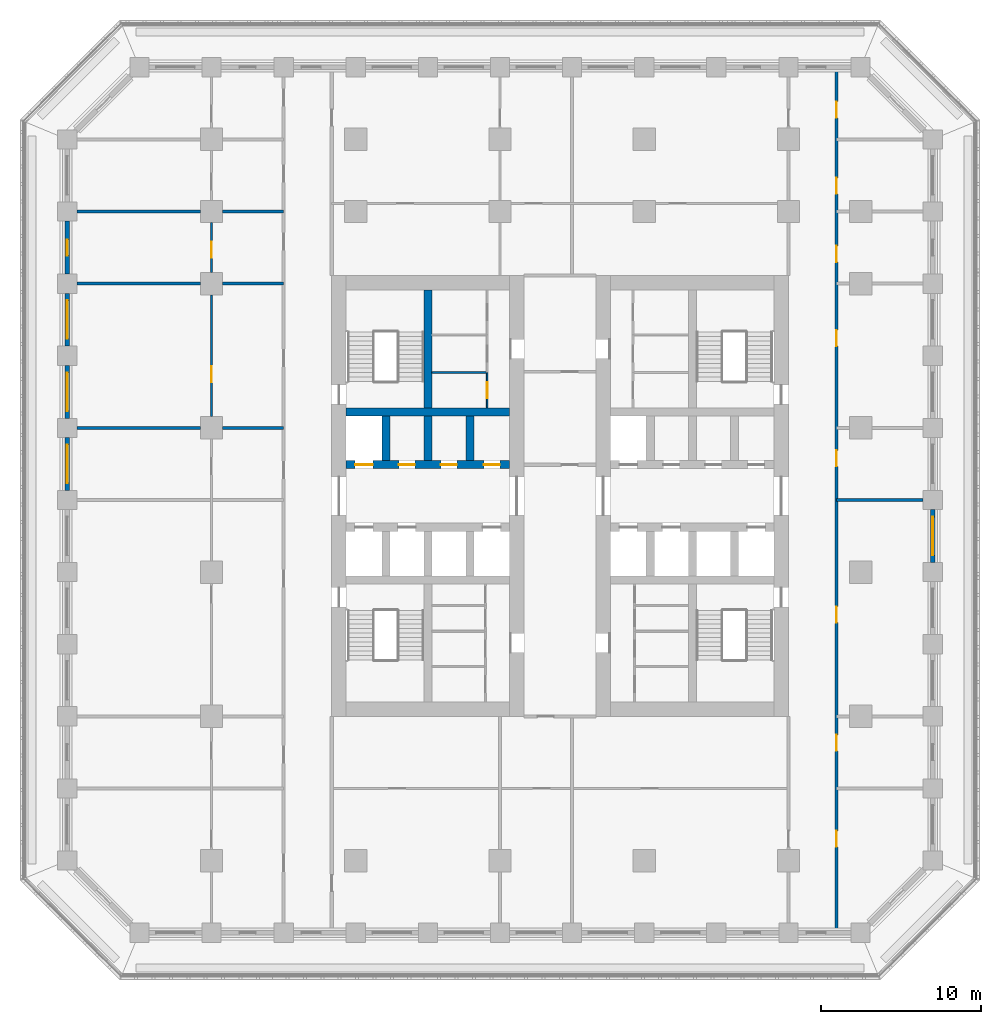
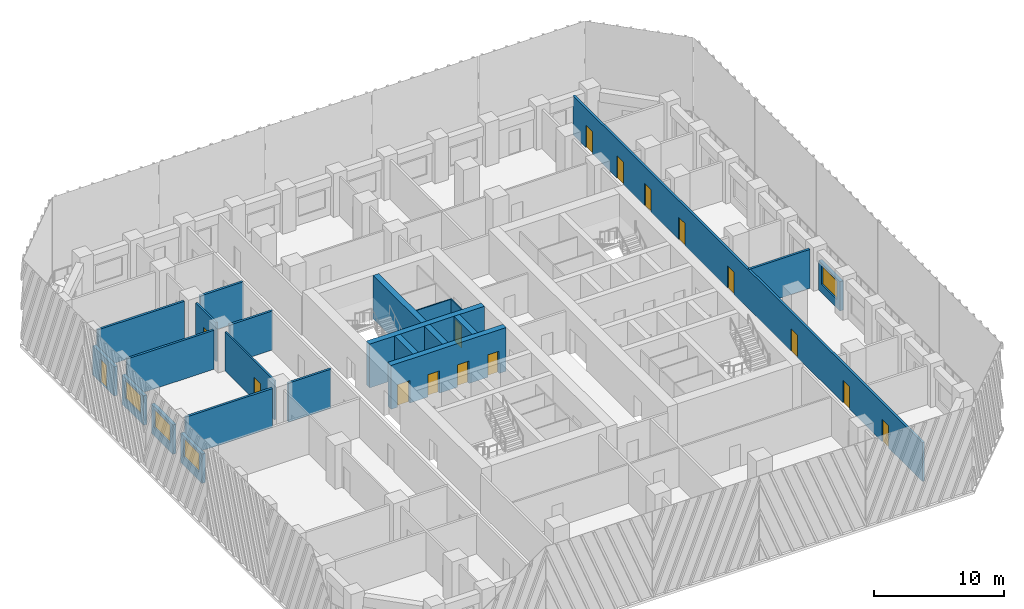
# One storey, part 6 of 19: 23 walls, 16 doors, 4 windows, 20 openings.
"""IFC4 building model written with IfcOpenShell, lengths in metres."""

import ifcopenshell
import ifcopenshell.guid

model = None  # the IFC model being written
_history = None  # IfcOwnerHistory: only IFC2X3 demands one
_inside = {}  # id of a spatial element -> (the spatial element, [elements in it])
_under = {}  # id of a project, library or spatial element -> (it, [spatial elements below it])
_declared = {}  # id of a project -> (the project, [libraries it declares])
_typed = {}  # id of a type object -> (the type object, [elements of that type])
_made_of = {}  # id of a material, layer set ... -> (it, [elements and type objects made of it])


def new_model(schema):
    """Start an empty IFC model of exactly this schema.

    Asked for "IFC4X3", IfcOpenShell would pick the latest addendum, in which some entities
    have other attributes; the version numbers below select the first issue.
    IFC2X3 requires an IfcOwnerHistory on every rooted entity: one is made here for all.
    """
    global model, _history
    if schema == "IFC4X3":
        model = ifcopenshell.file(schema_version=(4, 3, 0, 0))
    else:
        model = ifcopenshell.file(schema=schema)
    _inside.clear()
    _under.clear()
    _declared.clear()
    _typed.clear()
    _made_of.clear()
    _history = None
    if model.schema == "IFC2X3":
        org = make("IfcOrganization", Name="unknown")
        user = make(
            "IfcPersonAndOrganization",
            ThePerson=make("IfcPerson", FamilyName="unknown"),
            TheOrganization=org,
        )
        app = make(
            "IfcApplication",
            ApplicationDeveloper=org,
            Version="unknown",
            ApplicationFullName="unknown",
            ApplicationIdentifier="unknown",
        )
        _history = make(
            "IfcOwnerHistory",
            OwningUser=user,
            OwningApplication=app,
            ChangeAction="ADDED",
            CreationDate=0,
        )
    return model


def make(cls, **values):
    """One entity of the class cls with the attributes given. An attribute that is None is left unset."""
    return model.create_entity(
        cls, **{name: value for name, value in values.items() if value is not None}
    )


def rooted(cls, **values):
    """An entity with a GlobalId (a new one), such as an element, a storey or a relation."""
    return make(cls, GlobalId=ifcopenshell.guid.new(), OwnerHistory=_history, **values)


def si_unit(unit_type, name, prefix=None):
    """IfcSIUnit, for example si_unit("LENGTHUNIT", "METRE", prefix="MILLI")."""
    return make("IfcSIUnit", UnitType=unit_type, Prefix=prefix, Name=name)


def assignment(units):
    """IfcUnitAssignment: the units of a project."""
    return None if units is None else make("IfcUnitAssignment", Units=units)


def point(xyz):
    """IfcCartesianPoint."""
    return None if xyz is None else make("IfcCartesianPoint", Coordinates=xyz)


def direction(xyz):
    """IfcDirection."""
    return None if xyz is None else make("IfcDirection", DirectionRatios=xyz)


def frame(location, z_axis=None, x_axis=None):
    """IfcAxis2Placement3D, a coordinate frame: its origin and axes. An axis left out is left unset."""
    return make(
        "IfcAxis2Placement3D",
        Location=point(location),
        Axis=direction(z_axis),
        RefDirection=direction(x_axis),
    )


def frame_2d(location, x_axis=None):
    """IfcAxis2Placement2D, a coordinate frame in the plane: its origin and x axis."""
    return make(
        "IfcAxis2Placement2D", Location=point(location), RefDirection=direction(x_axis)
    )


def origin():
    """The frame at (0, 0, 0) with its axes left unset."""
    return frame((0.0, 0.0, 0.0))


def place(relative_to, where):
    """IfcLocalPlacement: puts the frame where relative to a parent placement (None: the world)."""
    return make(
        "IfcLocalPlacement", PlacementRelTo=relative_to, RelativePlacement=where
    )


def context(
    kind, dimensions, precision=None, world=None, true_north=None, identifier=None
):
    """IfcGeometricRepresentationContext, for example the 3D "Model" context."""
    return make(
        "IfcGeometricRepresentationContext",
        ContextIdentifier=identifier,
        ContextType=kind,
        CoordinateSpaceDimension=dimensions,
        Precision=precision,
        WorldCoordinateSystem=world,
        TrueNorth=true_north,
    )


def subcontext(parent, identifier, kind, view, scale=None):
    """IfcGeometricRepresentationSubContext, for example "Body" below "Model"."""
    return make(
        "IfcGeometricRepresentationSubContext",
        ContextIdentifier=identifier,
        ContextType=kind,
        ParentContext=parent,
        TargetScale=scale,
        TargetView=view,
    )


def project(units=None, contexts=None):
    """IfcProject with its units and contexts."""
    return rooted(
        "IfcProject",
        Name="project",
        RepresentationContexts=contexts,
        UnitsInContext=assignment(units),
    )


def spatial(cls, under=None, at=None, **own):
    """A site, building, storey or space (cls), placed at a placement, below another one or the project."""
    s = rooted(cls, ObjectPlacement=at, **own)
    if under is not None:
        _under.setdefault(under.id(), (under, []))[1].append(s)
    return s


def profile(cls, at=None, kind="AREA", **sizes):
    """A parametric profile (cls). Its sizes go by their IFC names, for example OverallWidth=200.0."""
    return make(cls, ProfileType=kind, Position=at, **sizes)


def rectangle(**sizes):
    """IfcRectangleProfileDef."""
    return profile("IfcRectangleProfileDef", **sizes)


def extrude(swept, where, along, depth):
    """IfcExtrudedAreaSolid: the profile swept, set in the frame where, extruded along a direction by depth."""
    return make(
        "IfcExtrudedAreaSolid",
        SweptArea=swept,
        Position=where,
        ExtrudedDirection=direction(along),
        Depth=depth,
    )


def shape(context_of_items, identifier, shape_type, items):
    """IfcShapeRepresentation: the items that make up one representation, for example the "Body"."""
    return make(
        "IfcShapeRepresentation",
        ContextOfItems=context_of_items,
        RepresentationIdentifier=identifier,
        RepresentationType=shape_type,
        Items=items,
    )


def material(Name=None, Category=None):
    """IfcMaterial."""
    return make("IfcMaterial", Name=Name, Category=Category)


def layer(
    of_material, thickness, ventilated=None, Name=None, Category=None, Priority=None
):
    """IfcMaterialLayer: one layer of a wall or slab, of a material (None: an air gap)."""
    return make(
        "IfcMaterialLayer",
        Material=of_material,
        LayerThickness=thickness,
        IsVentilated=ventilated,
        Name=Name,
        Category=Category,
        Priority=Priority,
    )


def layer_set(layers, Name=None):
    """IfcMaterialLayerSet."""
    return make("IfcMaterialLayerSet", MaterialLayers=layers, LayerSetName=Name)


def made_of(thing, what):
    """Note that an element or type object is made of a material, layer set ...; save() writes the relation."""
    if what is not None:
        _made_of.setdefault(what.id(), (what, []))[1].append(thing)
    return thing


def type_object(cls, material=None, **own):
    """A type object (cls), such as IfcWallType, which elements share."""
    return made_of(rooted(cls, **own), material)


def element(
    cls,
    number,
    at=None,
    inside=None,
    cuts=None,
    type_object=None,
    material=None,
    context=None,
    identifier="Body",
    shape_type=None,
    held_by="IfcProductDefinitionShape",
    body=None,
    shapes=None,
    **own,
):
    """One element of the class cls, such as IfcWall. Its Tag is "e" and its number.

    at: its placement. inside: the storey or other place that contains it. cuts: it is an
    opening in that element (IfcRelVoidsElement). A single representation is given by context,
    identifier, shape_type and body (its items); several are given by shapes. held_by: the class
    of the entity that holds the representations. save() writes the other relations.
    """
    e = rooted(cls, Tag="e%d" % number, ObjectPlacement=at, **own)
    if body is not None:
        shapes = [shape(context, identifier, shape_type, body)]
    if shapes is not None:
        e.Representation = make(held_by, Representations=shapes)
    if inside is not None:
        _inside.setdefault(inside.id(), (inside, []))[1].append(e)
    if cuts is not None:
        rooted(
            "IfcRelVoidsElement", RelatingBuildingElement=cuts, RelatedOpeningElement=e
        )
    if type_object is not None:
        _typed.setdefault(type_object.id(), (type_object, []))[1].append(e)
    return made_of(e, material)


def fill(opening, filler):
    """IfcRelFillsElement: the door or window that sits in an opening."""
    return rooted(
        "IfcRelFillsElement",
        RelatingOpeningElement=opening,
        RelatedBuildingElement=filler,
    )


def aggregate(whole, parts):
    """IfcRelAggregates: a whole, such as a stair, and the parts it consists of."""
    return rooted("IfcRelAggregates", RelatingObject=whole, RelatedObjects=parts)


def save(model, path):
    """Write the relations noted so far, then the file.

    IfcRelAggregates (storeys below a building ...), IfcRelContainedInSpatialStructure (elements
    in a storey), IfcRelDefinesByType, IfcRelAssociatesMaterial and IfcRelDeclares: one each for
    every whole, place, type object, material and project.
    """
    for whole, parts in _under.values():
        aggregate(whole, parts)
    for where, things in _inside.values():
        rooted(
            "IfcRelContainedInSpatialStructure",
            RelatedElements=things,
            RelatingStructure=where,
        )
    for kind, things in _typed.values():
        rooted("IfcRelDefinesByType", RelatedObjects=things, RelatingType=kind)
    for what, things in _made_of.values():
        rooted("IfcRelAssociatesMaterial", RelatedObjects=things, RelatingMaterial=what)
    for by, libraries in _declared.values():
        rooted("IfcRelDeclares", RelatingContext=by, RelatedDefinitions=libraries)
    model.write(path)


model = new_model("IFC4")

# Units and contexts
model_context = context("Model", 3, precision=1e-05, world=origin(), true_north=direction((0.0, 1.0)))
body_context = subcontext(model_context, "Body", "Model", "MODEL_VIEW")
ifc_project = project(units=[si_unit("LENGTHUNIT", "METRE"), si_unit("AREAUNIT", "SQUARE_METRE"), si_unit("VOLUMEUNIT", "CUBIC_METRE"), si_unit("PLANEANGLEUNIT", "RADIAN"), si_unit("MASSUNIT", "GRAM", prefix="KILO")], contexts=[model_context])

# Site, building, storey
site_placement = place(None, origin())
site = spatial("IfcSite", under=ifc_project, at=site_placement, CompositionType="ELEMENT")
building_placement = place(site_placement, origin())
building = spatial("IfcBuilding", under=site, at=building_placement, Name="Corbel Stack Research Tower", CompositionType="ELEMENT")
storey_placement = place(building_placement, frame((0.0, 0.0, 124.89990234375)))
storey = spatial("IfcBuildingStorey", under=building, at=storey_placement, Name="L28", CompositionType="ELEMENT", Elevation=124.89990234375)

# Wall, openings, doors
ifc_material_1 = material(Name="Concrete C70/85", Category="concrete")
ifc_layer_1 = layer(ifc_material_1, 0.5)
ifc_layer_set_1 = layer_set([ifc_layer_1], Name="Concrete C70/85")
wall_type_1 = type_object("IfcWallType", Name="CW-500-70", PredefinedType="SHEAR", material=ifc_layer_set_1)
wall_1_placement = place(storey_placement, frame((-9.60009765625, 6.699951171875, 0.0), z_axis=(0.0, 0.0, 1.0), x_axis=(1.0, 0.0, 0.0)))
wall_1 = element("IfcWall", 1, at=wall_1_placement, inside=storey, type_object=wall_type_1, Name="West core wall, lobby north L28", PredefinedType="SHEAR", context=body_context, shape_type="SweptSolid", body=[
    extrude(rectangle(XDim=10.2001953125, YDim=0.5, at=frame_2d((5.10009765625, 0.0))), origin(), (0.0, 0.0, 1.0), 4.10009765625),
])
opening_1_placement = place(wall_1_placement, frame((0.5625, 0.0, 0.0)))
opening_1 = element("IfcOpeningElement", 2, at=opening_1_placement, cuts=wall_1, Name="Opening LD-LR2", PredefinedType="OPENING", context=body_context, shape_type="SweptSolid", body=[
    extrude(rectangle(XDim=1.10009765625, YDim=2.10009765625, at=frame_2d((0.550048828125, 1.050048828125))), frame((0.0, 0.260009765625, 0.0), z_axis=(0.0, -1.0, 0.0), x_axis=(1.0, 0.0, 0.0)), (0.0, 0.0, 1.0), 0.52001953125),
])
opening_2_placement = place(wall_1_placement, frame((3.28759765625, 0.0, 0.0)))
opening_2 = element("IfcOpeningElement", 3, at=opening_2_placement, cuts=wall_1, Name="Opening CR-W42-N2", PredefinedType="OPENING", context=body_context, shape_type="SweptSolid", body=[
    extrude(rectangle(XDim=1.0, YDim=2.10009765625, at=frame_2d((0.5, 1.050048828125))), frame((0.0, 0.260009765625, 0.0), z_axis=(0.0, -1.0, 0.0), x_axis=(1.0, 0.0, 0.0)), (0.0, 0.0, 1.0), 0.52001953125),
])
opening_3_placement = place(wall_1_placement, frame((5.91259765625, 0.0, 0.0)))
opening_3 = element("IfcOpeningElement", 4, at=opening_3_placement, cuts=wall_1, Name="Opening CR-W42-N3", PredefinedType="OPENING", context=body_context, shape_type="SweptSolid", body=[
    extrude(rectangle(XDim=1.0, YDim=2.10009765625, at=frame_2d((0.5, 1.050048828125))), frame((0.0, 0.260009765625, 0.0), z_axis=(0.0, -1.0, 0.0), x_axis=(1.0, 0.0, 0.0)), (0.0, 0.0, 1.0), 0.52001953125),
])
opening_4_placement = place(wall_1_placement, frame((8.58740234375, 0.0, 0.0)))
opening_4 = element("IfcOpeningElement", 5, at=opening_4_placement, cuts=wall_1, Name="Opening CR-W42-N4", PredefinedType="OPENING", context=body_context, shape_type="SweptSolid", body=[
    extrude(rectangle(XDim=1.0, YDim=2.10009765625, at=frame_2d((0.5, 1.050048828125))), frame((0.0, 0.260009765625, 0.0), z_axis=(0.0, -1.0, 0.0), x_axis=(1.0, 0.0, 0.0)), (0.0, 0.0, 1.0), 0.52001953125),
])
ifc_material_2 = material(Name="Stainless steel landing door", Category="steel")
door_type_1 = type_object("IfcDoorType", Name="Lift landing door 1100 x 2100", OperationType="DOUBLE_DOOR_SLIDING", PredefinedType="DOOR", material=ifc_material_2)
door_1_placement = place(opening_1_placement, origin())
door_1 = element("IfcDoor", 6, at=door_1_placement, inside=storey, type_object=door_type_1, Name="Landing door LR2", OperationType="DOUBLE_DOOR_SLIDING", OverallHeight=2.10009765625, OverallWidth=1.10009765625, PredefinedType="DOOR", context=body_context, shape_type="SweptSolid", body=[
    extrude(rectangle(XDim=1.10009765625, YDim=2.10009765625, at=frame_2d((0.550048828125, 1.050048828125))), frame((0.0, 0.02490234375, 0.0), z_axis=(0.0, -1.0, 0.0), x_axis=(1.0, 0.0, 0.0)), (0.0, 0.0, 1.0), 0.050048828125),
])
fill(opening_1, door_1)
ifc_material_3 = material(Name="Painted steel door", Category="steel")
door_type_2 = type_object("IfcDoorType", Name="Service door 1000 x 2100 FD60 left hand", OperationType="SINGLE_SWING_LEFT", PredefinedType="DOOR", material=ifc_material_3)
door_2_placement = place(opening_3_placement, origin())
door_2 = element("IfcDoor", 7, at=door_2_placement, inside=storey, type_object=door_type_2, Name="Cleaner's store door W core", OperationType="SINGLE_SWING_LEFT", OverallHeight=2.10009765625, OverallWidth=1.0, PredefinedType="DOOR", context=body_context, shape_type="SweptSolid", body=[
    extrude(rectangle(XDim=1.0, YDim=2.10009765625, at=frame_2d((0.5, 1.050048828125))), frame((0.0, 0.02490234375, 0.0), z_axis=(0.0, -1.0, 0.0), x_axis=(1.0, 0.0, 0.0)), (0.0, 0.0, 1.0), 0.050048828125),
])
fill(opening_3, door_2)
ifc_material_4 = material(Name="Painted steel door", Category="steel")
door_type_3 = type_object("IfcDoorType", Name="Service door 1000 x 2100 FD60 right hand", OperationType="SINGLE_SWING_RIGHT", PredefinedType="DOOR", material=ifc_material_4)
door_3_placement = place(opening_2_placement, origin())
door_3 = element("IfcDoor", 8, at=door_3_placement, inside=storey, type_object=door_type_3, Name="Laboratory consumables store door W core", OperationType="SINGLE_SWING_RIGHT", OverallHeight=2.10009765625, OverallWidth=1.0, PredefinedType="DOOR", context=body_context, shape_type="SweptSolid", body=[
    extrude(rectangle(XDim=1.0, YDim=2.10009765625, at=frame_2d((0.5, 1.050048828125))), frame((0.0, 0.02490234375, 0.0), z_axis=(0.0, -1.0, 0.0), x_axis=(1.0, 0.0, 0.0)), (0.0, 0.0, 1.0), 0.050048828125),
])
fill(opening_2, door_3)
door_4_placement = place(opening_4_placement, origin())
door_4 = element("IfcDoor", 9, at=door_4_placement, inside=storey, type_object=door_type_3, Name="Vending bay door W core", OperationType="SINGLE_SWING_RIGHT", OverallHeight=2.10009765625, OverallWidth=1.0, PredefinedType="DOOR", context=body_context, shape_type="SweptSolid", body=[
    extrude(rectangle(XDim=1.0, YDim=2.10009765625, at=frame_2d((0.5, 1.050048828125))), frame((0.0, 0.02490234375, 0.0), z_axis=(0.0, -1.0, 0.0), x_axis=(1.0, 0.0, 0.0)), (0.0, 0.0, 1.0), 0.050048828125),
])
fill(opening_4, door_4)

# Walls
wall_2_placement = place(storey_placement, frame((-9.60009765625, 10.0, 0.0), z_axis=(0.0, 0.0, 1.0), x_axis=(1.0, 0.0, 0.0)))
element("IfcWall", 10, at=wall_2_placement, inside=storey, type_object=wall_type_1, Name="West core wall, north row back L28", PredefinedType="SHEAR", context=body_context, shape_type="SweptSolid", body=[
    extrude(rectangle(XDim=10.2001953125, YDim=0.5, at=frame_2d((5.10009765625, 0.0))), origin(), (0.0, 0.0, 1.0), 4.10009765625),
])
for number, where, z_axis, x_axis, name in (
    (11, (-7.125, 6.949951171875, 0.0), (0.0, 0.0, 1.0), (0.0, 1.0, 0.0), "West core wall, north shaft 1 L28"),
    (12, (-4.5, 6.949951171875, 0.0), (0.0, 0.0, 1.0), (0.0, 1.0, 0.0), "West core wall, north shaft 2 L28"),
    (13, (-1.875, 6.949951171875, 0.0), (0.0, 0.0, 1.0), (0.0, 1.0, 0.0), "West core wall, north shaft 3 L28"),
):
    element("IfcWall", number, at=place(storey_placement, frame(where, z_axis=z_axis, x_axis=x_axis)), inside=storey, type_object=wall_type_1, Name=name, PredefinedType="SHEAR", context=body_context, shape_type="SweptSolid", body=[
        extrude(rectangle(XDim=2.800048828125, YDim=0.5, at=frame_2d((1.39990234375, 0.0))), origin(), (0.0, 0.0, 1.0), 4.10009765625),
    ])
wall_3_placement = place(storey_placement, frame((-4.5, 10.25, 0.0), z_axis=(0.0, 0.0, 1.0), x_axis=(0.0, 1.0, 0.0)))
element("IfcWall", 14, at=wall_3_placement, inside=storey, type_object=wall_type_1, Name="West core wall, north stair and riser L28", PredefinedType="SHEAR", context=body_context, shape_type="SweptSolid", body=[
    extrude(rectangle(XDim=7.35009765625, YDim=0.5, at=frame_2d((3.675048828125, 0.0))), origin(), (0.0, 0.0, 1.0), 4.10009765625),
])

# Wall, opening, door
ifc_material_5 = material(Name="Gypsum board")
ifc_layer_2 = layer(ifc_material_5, 0.10009765625)
ifc_layer_set_2 = layer_set([ifc_layer_2], Name="Gypsum board")
wall_type_2 = type_object("IfcWallType", Name="Core partition 100", PredefinedType="PARTITIONING", material=ifc_layer_set_2)
wall_4_placement = place(storey_placement, frame((-0.800048828125, 10.25, 0.0), z_axis=(0.0, 0.0, 1.0), x_axis=(0.0, 1.0, 0.0)))
wall_4 = element("IfcWall", 15, at=wall_4_placement, inside=storey, type_object=wall_type_2, Name="Core partition W", PredefinedType="PARTITIONING", context=body_context, shape_type="SweptSolid", body=[
    extrude(rectangle(XDim=2.205078125, YDim=0.10009765625, at=frame_2d((1.1025390625, 0.0))), origin(), (0.0, 0.0, 1.0), 3.650146484375),
])
opening_5_placement = place(wall_4_placement, frame((0.6025390625, 0.0, 0.0)))
opening_5 = element("IfcOpeningElement", 16, at=opening_5_placement, cuts=wall_4, Name="Opening CR-W42-R2-1000", PredefinedType="OPENING", context=body_context, shape_type="SweptSolid", body=[
    extrude(rectangle(XDim=1.0, YDim=2.10009765625, at=frame_2d((0.5, 1.050048828125))), frame((0.0, 0.06005859375, 0.0), z_axis=(0.0, -1.0, 0.0), x_axis=(1.0, 0.0, 0.0)), (0.0, 0.0, 1.0), 0.1201171875),
])
ifc_material_6 = material(Name="Painted steel door", Category="steel")
door_type_4 = type_object("IfcDoorType", Name="Riser door 1000 x 2100 FD60 right hand", OperationType="SINGLE_SWING_RIGHT", PredefinedType="DOOR", material=ifc_material_6)
door_5_placement = place(opening_5_placement, origin())
door_5 = element("IfcDoor", 17, at=door_5_placement, inside=storey, type_object=door_type_4, Name="Mechanical riser door W core", OperationType="SINGLE_SWING_RIGHT", OverallHeight=2.10009765625, OverallWidth=1.0, PredefinedType="DOOR", context=body_context, shape_type="SweptSolid", body=[
    extrude(rectangle(XDim=1.0, YDim=2.10009765625, at=frame_2d((0.5, 1.050048828125))), frame((0.0, 0.02490234375, 0.0), z_axis=(0.0, -1.0, 0.0), x_axis=(1.0, 0.0, 0.0)), (0.0, 0.0, 1.0), 0.050048828125),
])
fill(opening_5, door_5)

# Wall
wall_5_placement = place(storey_placement, frame((-4.25, 12.455078125, 0.0), z_axis=(0.0, 0.0, 1.0), x_axis=(1.0, 0.0, 0.0)))
element("IfcWall", 18, at=wall_5_placement, inside=storey, type_object=wall_type_2, Name="Core partition W", PredefinedType="PARTITIONING", context=body_context, shape_type="SweptSolid", body=[
    extrude(rectangle(XDim=3.449951171875, YDim=0.10009765625, at=frame_2d((1.72509765625, 0.0))), origin(), (0.0, 0.0, 1.0), 3.650146484375),
])

# Wall, openings, doors
ifc_material_7 = material(Name="Fire-rated gypsum board partition on steel studs", Category="steel")
ifc_layer_3 = layer(ifc_material_7, 0.199951171875)
ifc_layer_set_3 = layer_set([ifc_layer_3], Name="Fire-rated gypsum board partition on steel studs")
wall_type_3 = type_object("IfcWallType", Name="Fire-rated partition 200 EI 60", PredefinedType="PARTITIONING", material=ifc_layer_set_3)
wall_6_placement = place(storey_placement, frame((21.0, 31.35009765625, 0.0), z_axis=(0.0, 0.0, 1.0), x_axis=(0.0, -1.0, 0.0)))
wall_6 = element("IfcWall", 19, at=wall_6_placement, inside=storey, type_object=wall_type_3, Name="Partition L28-024", PredefinedType="PARTITIONING", context=body_context, shape_type="SweptSolid", body=[
    extrude(rectangle(XDim=53.7001953125, YDim=0.199951171875, at=frame_2d((26.85009765625, 0.0))), origin(), (0.0, 0.0, 1.0), 3.650146484375),
])
opening_6_placement = place(wall_6_placement, frame((47.5, 0.0, 0.0)))
opening_6 = element("IfcOpeningElement", 20, at=opening_6_placement, cuts=wall_6, Name="Opening B4V1-028", PredefinedType="OPENING", context=body_context, shape_type="SweptSolid", body=[
    extrude(rectangle(XDim=1.0, YDim=2.10009765625, at=frame_2d((0.5, 1.050048828125))), frame((0.0, 0.10986328125, 0.0), z_axis=(0.0, -1.0, 0.0), x_axis=(1.0, 0.0, 0.0)), (0.0, 0.0, 1.0), 0.219970703125),
])
opening_7_placement = place(wall_6_placement, frame((41.5, 0.0, 0.0)))
opening_7 = element("IfcOpeningElement", 21, at=opening_7_placement, cuts=wall_6, Name="Opening B4V1-029", PredefinedType="OPENING", context=body_context, shape_type="SweptSolid", body=[
    extrude(rectangle(XDim=1.0, YDim=2.10009765625, at=frame_2d((0.5, 1.050048828125))), frame((0.0, 0.10986328125, 0.0), z_axis=(0.0, -1.0, 0.0), x_axis=(1.0, 0.0, 0.0)), (0.0, 0.0, 1.0), 0.219970703125),
])
opening_8_placement = place(wall_6_placement, frame((33.5, 0.0, 0.0)))
opening_8 = element("IfcOpeningElement", 22, at=opening_8_placement, cuts=wall_6, Name="Opening B4V1-030", PredefinedType="OPENING", context=body_context, shape_type="SweptSolid", body=[
    extrude(rectangle(XDim=1.0, YDim=2.10009765625, at=frame_2d((0.5, 1.050048828125))), frame((0.0, 0.10986328125, 0.0), z_axis=(0.0, -1.0, 0.0), x_axis=(1.0, 0.0, 0.0)), (0.0, 0.0, 1.0), 0.219970703125),
])
opening_9_placement = place(wall_6_placement, frame((23.75, 0.0, 0.0)))
opening_9 = element("IfcOpeningElement", 23, at=opening_9_placement, cuts=wall_6, Name="Opening B4V1-031", PredefinedType="OPENING", context=body_context, shape_type="SweptSolid", body=[
    extrude(rectangle(XDim=1.0, YDim=2.10009765625, at=frame_2d((0.5, 1.050048828125))), frame((0.0, 0.10986328125, 0.0), z_axis=(0.0, -1.0, 0.0), x_axis=(1.0, 0.0, 0.0)), (0.0, 0.0, 1.0), 0.219970703125),
])
opening_10_placement = place(wall_6_placement, frame((16.25, 0.0, 0.0)))
opening_10 = element("IfcOpeningElement", 24, at=opening_10_placement, cuts=wall_6, Name="Opening B4V1-032", PredefinedType="OPENING", context=body_context, shape_type="SweptSolid", body=[
    extrude(rectangle(XDim=1.0, YDim=2.10009765625, at=frame_2d((0.5, 1.050048828125))), frame((0.0, 0.10986328125, 0.0), z_axis=(0.0, -1.0, 0.0), x_axis=(1.0, 0.0, 0.0)), (0.0, 0.0, 1.0), 0.219970703125),
])
opening_11_placement = place(wall_6_placement, frame((11.0, 0.0, 0.0)))
opening_11 = element("IfcOpeningElement", 25, at=opening_11_placement, cuts=wall_6, Name="Opening B4V1-033", PredefinedType="OPENING", context=body_context, shape_type="SweptSolid", body=[
    extrude(rectangle(XDim=1.0, YDim=2.10009765625, at=frame_2d((0.5, 1.050048828125))), frame((0.0, 0.10986328125, 0.0), z_axis=(0.0, -1.0, 0.0), x_axis=(1.0, 0.0, 0.0)), (0.0, 0.0, 1.0), 0.219970703125),
])
opening_12_placement = place(wall_6_placement, frame((6.75, 0.0, 0.0)))
opening_12 = element("IfcOpeningElement", 26, at=opening_12_placement, cuts=wall_6, Name="Opening B4V1-034", PredefinedType="OPENING", context=body_context, shape_type="SweptSolid", body=[
    extrude(rectangle(XDim=1.0, YDim=2.10009765625, at=frame_2d((0.5, 1.050048828125))), frame((0.0, 0.10986328125, 0.0), z_axis=(0.0, -1.0, 0.0), x_axis=(1.0, 0.0, 0.0)), (0.0, 0.0, 1.0), 0.219970703125),
])
opening_13_placement = place(wall_6_placement, frame((2.0, 0.0, 0.0)))
opening_13 = element("IfcOpeningElement", 27, at=opening_13_placement, cuts=wall_6, Name="Opening B4V1-035", PredefinedType="OPENING", context=body_context, shape_type="SweptSolid", body=[
    extrude(rectangle(XDim=1.0, YDim=2.10009765625, at=frame_2d((0.5, 1.050048828125))), frame((0.0, 0.10986328125, 0.0), z_axis=(0.0, -1.0, 0.0), x_axis=(1.0, 0.0, 0.0)), (0.0, 0.0, 1.0), 0.219970703125),
])
ifc_material_8 = material(Name="Painted steel fire door", Category="steel")
door_type_5 = type_object("IfcDoorType", Name="Fire door FD30S 1000 x 2100", OperationType="NOTDEFINED", PredefinedType="DOOR", material=ifc_material_8)
door_6_placement = place(opening_6_placement, origin())
door_6 = element("IfcDoor", 28, at=door_6_placement, inside=storey, type_object=door_type_5, Name="Door B4V1-028", OperationType="SINGLE_SWING_RIGHT", OverallHeight=2.10009765625, OverallWidth=1.0, PredefinedType="DOOR", context=body_context, shape_type="SweptSolid", body=[
    extrude(rectangle(XDim=1.0, YDim=2.10009765625, at=frame_2d((0.5, 1.050048828125))), frame((0.0, 0.02490234375, 0.0), z_axis=(0.0, -1.0, 0.0), x_axis=(1.0, 0.0, 0.0)), (0.0, 0.0, 1.0), 0.050048828125),
])
fill(opening_6, door_6)
door_7_placement = place(opening_7_placement, origin())
door_7 = element("IfcDoor", 29, at=door_7_placement, inside=storey, type_object=door_type_5, Name="Door B4V1-029", OperationType="SINGLE_SWING_RIGHT", OverallHeight=2.10009765625, OverallWidth=1.0, PredefinedType="DOOR", context=body_context, shape_type="SweptSolid", body=[
    extrude(rectangle(XDim=1.0, YDim=2.10009765625, at=frame_2d((0.5, 1.050048828125))), frame((0.0, 0.02490234375, 0.0), z_axis=(0.0, -1.0, 0.0), x_axis=(1.0, 0.0, 0.0)), (0.0, 0.0, 1.0), 0.050048828125),
])
fill(opening_7, door_7)
door_8_placement = place(opening_8_placement, origin())
door_8 = element("IfcDoor", 30, at=door_8_placement, inside=storey, type_object=door_type_5, Name="Door B4V1-030", OperationType="SINGLE_SWING_RIGHT", OverallHeight=2.10009765625, OverallWidth=1.0, PredefinedType="DOOR", context=body_context, shape_type="SweptSolid", body=[
    extrude(rectangle(XDim=1.0, YDim=2.10009765625, at=frame_2d((0.5, 1.050048828125))), frame((0.0, 0.02490234375, 0.0), z_axis=(0.0, -1.0, 0.0), x_axis=(1.0, 0.0, 0.0)), (0.0, 0.0, 1.0), 0.050048828125),
])
fill(opening_8, door_8)
door_9_placement = place(opening_9_placement, origin())
door_9 = element("IfcDoor", 31, at=door_9_placement, inside=storey, type_object=door_type_5, Name="Door B4V1-031", OperationType="SINGLE_SWING_LEFT", OverallHeight=2.10009765625, OverallWidth=1.0, PredefinedType="DOOR", context=body_context, shape_type="SweptSolid", body=[
    extrude(rectangle(XDim=1.0, YDim=2.10009765625, at=frame_2d((0.5, 1.050048828125))), frame((0.0, 0.02490234375, 0.0), z_axis=(0.0, -1.0, 0.0), x_axis=(1.0, 0.0, 0.0)), (0.0, 0.0, 1.0), 0.050048828125),
])
fill(opening_9, door_9)
door_10_placement = place(opening_10_placement, origin())
door_10 = element("IfcDoor", 32, at=door_10_placement, inside=storey, type_object=door_type_5, Name="Door B4V1-032", OperationType="SINGLE_SWING_LEFT", OverallHeight=2.10009765625, OverallWidth=1.0, PredefinedType="DOOR", context=body_context, shape_type="SweptSolid", body=[
    extrude(rectangle(XDim=1.0, YDim=2.10009765625, at=frame_2d((0.5, 1.050048828125))), frame((0.0, 0.02490234375, 0.0), z_axis=(0.0, -1.0, 0.0), x_axis=(1.0, 0.0, 0.0)), (0.0, 0.0, 1.0), 0.050048828125),
])
fill(opening_10, door_10)
door_11_placement = place(opening_11_placement, origin())
door_11 = element("IfcDoor", 33, at=door_11_placement, inside=storey, type_object=door_type_5, Name="Door B4V1-033", OperationType="SINGLE_SWING_LEFT", OverallHeight=2.10009765625, OverallWidth=1.0, PredefinedType="DOOR", context=body_context, shape_type="SweptSolid", body=[
    extrude(rectangle(XDim=1.0, YDim=2.10009765625, at=frame_2d((0.5, 1.050048828125))), frame((0.0, 0.02490234375, 0.0), z_axis=(0.0, -1.0, 0.0), x_axis=(1.0, 0.0, 0.0)), (0.0, 0.0, 1.0), 0.050048828125),
])
fill(opening_11, door_11)
door_12_placement = place(opening_12_placement, origin())
door_12 = element("IfcDoor", 34, at=door_12_placement, inside=storey, type_object=door_type_5, Name="Door B4V1-034", OperationType="SINGLE_SWING_LEFT", OverallHeight=2.10009765625, OverallWidth=1.0, PredefinedType="DOOR", context=body_context, shape_type="SweptSolid", body=[
    extrude(rectangle(XDim=1.0, YDim=2.10009765625, at=frame_2d((0.5, 1.050048828125))), frame((0.0, 0.02490234375, 0.0), z_axis=(0.0, -1.0, 0.0), x_axis=(1.0, 0.0, 0.0)), (0.0, 0.0, 1.0), 0.050048828125),
])
fill(opening_12, door_12)
door_13_placement = place(opening_13_placement, origin())
door_13 = element("IfcDoor", 35, at=door_13_placement, inside=storey, type_object=door_type_5, Name="Door B4V1-035", OperationType="SINGLE_SWING_LEFT", OverallHeight=2.10009765625, OverallWidth=1.0, PredefinedType="DOOR", context=body_context, shape_type="SweptSolid", body=[
    extrude(rectangle(XDim=1.0, YDim=2.10009765625, at=frame_2d((0.5, 1.050048828125))), frame((0.0, 0.02490234375, 0.0), z_axis=(0.0, -1.0, 0.0), x_axis=(1.0, 0.0, 0.0)), (0.0, 0.0, 1.0), 0.050048828125),
])
fill(opening_13, door_13)

# Walls
wall_7_placement = place(storey_placement, frame((21.0, 4.5, 0.0), z_axis=(0.0, 0.0, 1.0), x_axis=(1.0, 0.0, 0.0)))
element("IfcWall", 36, at=wall_7_placement, inside=storey, type_object=wall_type_3, Name="Partition L28-034", PredefinedType="PARTITIONING", context=body_context, shape_type="SweptSolid", body=[
    extrude(rectangle(XDim=5.39990234375, YDim=0.199951171875, at=frame_2d((2.699951171875, 0.0))), origin(), (0.0, 0.0, 1.0), 3.650146484375),
])
wall_8_placement = place(storey_placement, frame((-26.39990234375, 9.0, 0.0), z_axis=(0.0, 0.0, 1.0), x_axis=(1.0, 0.0, 0.0)))
element("IfcWall", 37, at=wall_8_placement, inside=storey, type_object=wall_type_3, Name="Partition L28-036", PredefinedType="PARTITIONING", context=body_context, shape_type="SweptSolid", body=[
    extrude(rectangle(XDim=7.699951171875, YDim=0.199951171875, at=frame_2d((3.85009765625, 0.0))), origin(), (0.0, 0.0, 1.0), 3.650146484375),
])
wall_9_placement = place(storey_placement, frame((-17.300048828125, 9.0, 0.0), z_axis=(0.0, 0.0, 1.0), x_axis=(1.0, 0.0, 0.0)))
element("IfcWall", 38, at=wall_9_placement, inside=storey, type_object=wall_type_3, Name="Partition L28-037", PredefinedType="PARTITIONING", context=body_context, shape_type="SweptSolid", body=[
    extrude(rectangle(XDim=3.800048828125, YDim=0.199951171875, at=frame_2d((1.89990234375, 0.0))), origin(), (0.0, 0.0, 1.0), 3.650146484375),
])
wall_10_placement = place(storey_placement, frame((-26.39990234375, 18.0, 0.0), z_axis=(0.0, 0.0, 1.0), x_axis=(1.0, 0.0, 0.0)))
element("IfcWall", 39, at=wall_10_placement, inside=storey, type_object=wall_type_3, Name="Partition L28-041", PredefinedType="PARTITIONING", context=body_context, shape_type="SweptSolid", body=[
    extrude(rectangle(XDim=7.699951171875, YDim=0.199951171875, at=frame_2d((3.85009765625, 0.0))), origin(), (0.0, 0.0, 1.0), 3.650146484375),
])
wall_11_placement = place(storey_placement, frame((-17.300048828125, 18.0, 0.0), z_axis=(0.0, 0.0, 1.0), x_axis=(1.0, 0.0, 0.0)))
element("IfcWall", 40, at=wall_11_placement, inside=storey, type_object=wall_type_3, Name="Partition L28-042", PredefinedType="PARTITIONING", context=body_context, shape_type="SweptSolid", body=[
    extrude(rectangle(XDim=3.800048828125, YDim=0.199951171875, at=frame_2d((1.89990234375, 0.0))), origin(), (0.0, 0.0, 1.0), 3.650146484375),
])
wall_12_placement = place(storey_placement, frame((-26.39990234375, 22.5, 0.0), z_axis=(0.0, 0.0, 1.0), x_axis=(1.0, 0.0, 0.0)))
element("IfcWall", 41, at=wall_12_placement, inside=storey, type_object=wall_type_3, Name="Partition L28-046", PredefinedType="PARTITIONING", context=body_context, shape_type="SweptSolid", body=[
    extrude(rectangle(XDim=7.699951171875, YDim=0.199951171875, at=frame_2d((3.85009765625, 0.0))), origin(), (0.0, 0.0, 1.0), 3.650146484375),
])
wall_13_placement = place(storey_placement, frame((-17.300048828125, 22.5, 0.0), z_axis=(0.0, 0.0, 1.0), x_axis=(1.0, 0.0, 0.0)))
element("IfcWall", 42, at=wall_13_placement, inside=storey, type_object=wall_type_3, Name="Partition L28-047", PredefinedType="PARTITIONING", context=body_context, shape_type="SweptSolid", body=[
    extrude(rectangle(XDim=3.800048828125, YDim=0.199951171875, at=frame_2d((1.89990234375, 0.0))), origin(), (0.0, 0.0, 1.0), 3.650146484375),
])

# Wall, opening, door
ifc_material_9 = material(Name="Gypsum board partition on steel studs", Category="steel")
ifc_layer_4 = layer(ifc_material_9, 0.14990234375)
ifc_layer_set_4 = layer_set([ifc_layer_4], Name="Gypsum board partition on steel studs")
wall_type_4 = type_object("IfcWallType", Name="Partition 150", PredefinedType="PARTITIONING", material=ifc_layer_set_4)
wall_14_placement = place(storey_placement, frame((-18.0, 9.699951171875, 0.0), z_axis=(0.0, 0.0, 1.0), x_axis=(0.0, 1.0, 0.0)))
wall_14 = element("IfcWall", 43, at=wall_14_placement, inside=storey, type_object=wall_type_4, Name="Partition L28-005", PredefinedType="PARTITIONING", context=body_context, shape_type="SweptSolid", body=[
    extrude(rectangle(XDim=7.60009765625, YDim=0.14990234375, at=frame_2d((3.800048828125, 0.0))), origin(), (0.0, 0.0, 1.0), 3.650146484375),
])
opening_14_placement = place(wall_14_placement, frame((2.14990234375, 0.0, 0.0)))
opening_14 = element("IfcOpeningElement", 44, at=opening_14_placement, cuts=wall_14, Name="Opening B4V1-005", PredefinedType="OPENING", context=body_context, shape_type="SweptSolid", body=[
    extrude(rectangle(XDim=1.0, YDim=2.10009765625, at=frame_2d((0.5, 1.050048828125))), frame((0.0, 0.0849609375, 0.0), z_axis=(0.0, -1.0, 0.0), x_axis=(1.0, 0.0, 0.0)), (0.0, 0.0, 1.0), 0.169921875),
])
ifc_material_10 = material(Name="Painted timber door", Category="wood")
door_type_6 = type_object("IfcDoorType", Name="Single door 1000 x 2100", OperationType="NOTDEFINED", PredefinedType="DOOR", material=ifc_material_10)
door_14_placement = place(opening_14_placement, origin())
door_14 = element("IfcDoor", 45, at=door_14_placement, inside=storey, type_object=door_type_6, Name="Door B4V1-005", OperationType="SINGLE_SWING_LEFT", OverallHeight=2.10009765625, OverallWidth=1.0, PredefinedType="DOOR", context=body_context, shape_type="SweptSolid", body=[
    extrude(rectangle(XDim=1.0, YDim=2.10009765625, at=frame_2d((0.5, 1.050048828125))), frame((0.0, 0.02490234375, 0.0), z_axis=(0.0, -1.0, 0.0), x_axis=(1.0, 0.0, 0.0)), (0.0, 0.0, 1.0), 0.050048828125),
])
fill(opening_14, door_14)

wall_15_placement = place(storey_placement, frame((-18.0, 18.699951171875, 0.0), z_axis=(0.0, 0.0, 1.0), x_axis=(0.0, 1.0, 0.0)))
wall_15 = element("IfcWall", 46, at=wall_15_placement, inside=storey, type_object=wall_type_4, Name="Partition L28-006", PredefinedType="PARTITIONING", context=body_context, shape_type="SweptSolid", body=[
    extrude(rectangle(XDim=3.10009765625, YDim=0.14990234375, at=frame_2d((1.550048828125, 0.0))), origin(), (0.0, 0.0, 1.0), 3.650146484375),
])
opening_15_placement = place(wall_15_placement, frame((0.89990234375, 0.0, 0.0)))
opening_15 = element("IfcOpeningElement", 47, at=opening_15_placement, cuts=wall_15, Name="Opening B4V1-006", PredefinedType="OPENING", context=body_context, shape_type="SweptSolid", body=[
    extrude(rectangle(XDim=1.0, YDim=2.10009765625, at=frame_2d((0.5, 1.050048828125))), frame((0.0, 0.0849609375, 0.0), z_axis=(0.0, -1.0, 0.0), x_axis=(1.0, 0.0, 0.0)), (0.0, 0.0, 1.0), 0.169921875),
])
door_15_placement = place(opening_15_placement, origin())
door_15 = element("IfcDoor", 48, at=door_15_placement, inside=storey, type_object=door_type_6, Name="Door B4V1-006", OperationType="SINGLE_SWING_LEFT", OverallHeight=2.10009765625, OverallWidth=1.0, PredefinedType="DOOR", context=body_context, shape_type="SweptSolid", body=[
    extrude(rectangle(XDim=1.0, YDim=2.10009765625, at=frame_2d((0.5, 1.050048828125))), frame((0.0, 0.02490234375, 0.0), z_axis=(0.0, -1.0, 0.0), x_axis=(1.0, 0.0, 0.0)), (0.0, 0.0, 1.0), 0.050048828125),
])
fill(opening_15, door_15)

# Wall, opening, window
ifc_material_11 = material(Name="Concrete C45/55", Category="concrete")
ifc_layer_5 = layer(ifc_material_11, 0.300048828125)
ifc_layer_set_5 = layer_set([ifc_layer_5], Name="Concrete C45/55")
wall_type_5 = type_object("IfcWallType", Name="Terracotta-faced concrete wall 300", PredefinedType="SOLIDWALL", material=ifc_layer_set_5)
wall_16_placement = place(storey_placement, frame((27.0, 3.89990234375, 0.0), z_axis=(0.0, 0.0, 1.0), x_axis=(0.0, -1.0, 0.0)))
wall_16 = element("IfcWall", 49, at=wall_16_placement, inside=storey, type_object=wall_type_5, Name="Facade wall L28 E05", PredefinedType="SOLIDWALL", context=body_context, shape_type="SweptSolid", body=[
    extrude(rectangle(XDim=3.2998046875, YDim=0.300048828125, at=frame_2d((1.64990234375, 0.0))), origin(), (0.0, 0.0, 1.0), 2.75),
])
opening_16_placement = place(wall_16_placement, frame((0.449951171875, 0.0, 0.800048828125)))
opening_16 = element("IfcOpeningElement", 50, at=opening_16_placement, cuts=wall_16, Name="Opening W1", PredefinedType="OPENING", context=body_context, shape_type="SweptSolid", body=[
    extrude(rectangle(XDim=2.39990234375, YDim=1.699951171875, at=frame_2d((1.199951171875, 0.85009765625))), frame((0.0, 0.159912109375, 0.0), z_axis=(0.0, -1.0, 0.0), x_axis=(1.0, 0.0, 0.0)), (0.0, 0.0, 1.0), 0.320068359375),
])
ifc_material_12 = material(Name="Aluminium frame, clear double glazing", Category="aluminium")
window_type = type_object("IfcWindowType", Name="Window W1 2400 x 1700", PartitioningType="SINGLE_PANEL", PredefinedType="WINDOW", material=ifc_material_12)
window_1_placement = place(opening_16_placement, origin())
window_1 = element("IfcWindow", 51, at=window_1_placement, inside=storey, type_object=window_type, Name="Window W1 L28 E05", OverallHeight=1.699951171875, OverallWidth=2.39990234375, PartitioningType="SINGLE_PANEL", PredefinedType="WINDOW", context=body_context, shape_type="SweptSolid", body=[
    extrude(rectangle(XDim=2.39990234375, YDim=1.699951171875, at=frame_2d((1.199951171875, 0.85009765625))), frame((0.0, 0.030029296875, 0.0), z_axis=(0.0, -1.0, 0.0), x_axis=(1.0, 0.0, 0.0)), (0.0, 0.0, 1.0), 0.06005859375),
])
fill(opening_16, window_1)

# Wall, opening, door
wall_17_placement = place(storey_placement, frame((-27.0, 18.60009765625, 0.0), z_axis=(0.0, 0.0, 1.0), x_axis=(0.0, 1.0, 0.0)))
wall_17 = element("IfcWall", 52, at=wall_17_placement, inside=storey, type_object=wall_type_5, Name="Facade wall L28 W02", PredefinedType="SOLIDWALL", context=body_context, shape_type="SweptSolid", body=[
    extrude(rectangle(XDim=3.2998046875, YDim=0.300048828125, at=frame_2d((1.64990234375, 0.0))), origin(), (0.0, 0.0, 1.0), 2.75),
])
opening_17_placement = place(wall_17_placement, frame((1.14990234375, 0.0, 0.0)))
opening_17 = element("IfcOpeningElement", 53, at=opening_17_placement, cuts=wall_17, Name="Opening L28-B10", PredefinedType="OPENING", context=body_context, shape_type="SweptSolid", body=[
    extrude(rectangle(XDim=1.0, YDim=2.199951171875, at=frame_2d((0.5, 1.10009765625))), frame((0.0, 0.159912109375, 0.0), z_axis=(0.0, -1.0, 0.0), x_axis=(1.0, 0.0, 0.0)), (0.0, 0.0, 1.0), 0.320068359375),
])
ifc_material_13 = material(Name="Aluminium frame, clear double glazing", Category="aluminium")
door_type_7 = type_object("IfcDoorType", Name="Balcony door BD1 1000 x 2200", OperationType="NOTDEFINED", PredefinedType="DOOR", material=ifc_material_13)
door_16_placement = place(opening_17_placement, origin())
door_16 = element("IfcDoor", 54, at=door_16_placement, inside=storey, type_object=door_type_7, Name="Balcony door L28-B10", OperationType="SINGLE_SWING_RIGHT", OverallHeight=2.199951171875, OverallWidth=1.0, PredefinedType="DOOR", context=body_context, shape_type="SweptSolid", body=[
    extrude(rectangle(XDim=1.0, YDim=2.199951171875, at=frame_2d((0.5, 1.10009765625))), frame((0.0, 0.02490234375, 0.0), z_axis=(0.0, -1.0, 0.0), x_axis=(1.0, 0.0, 0.0)), (0.0, 0.0, 1.0), 0.050048828125),
])
fill(opening_17, door_16)

# Wall, opening, window
wall_18_placement = place(storey_placement, frame((-27.0, 14.10009765625, 0.0), z_axis=(0.0, 0.0, 1.0), x_axis=(0.0, 1.0, 0.0)))
wall_18 = element("IfcWall", 55, at=wall_18_placement, inside=storey, type_object=wall_type_5, Name="Facade wall L28 W03", PredefinedType="SOLIDWALL", context=body_context, shape_type="SweptSolid", body=[
    extrude(rectangle(XDim=3.2998046875, YDim=0.300048828125, at=frame_2d((1.64990234375, 0.0))), origin(), (0.0, 0.0, 1.0), 2.75),
])
opening_18_placement = place(wall_18_placement, frame((0.449951171875, 0.0, 0.800048828125)))
opening_18 = element("IfcOpeningElement", 56, at=opening_18_placement, cuts=wall_18, Name="Opening W1", PredefinedType="OPENING", context=body_context, shape_type="SweptSolid", body=[
    extrude(rectangle(XDim=2.39990234375, YDim=1.699951171875, at=frame_2d((1.199951171875, 0.85009765625))), frame((0.0, 0.159912109375, 0.0), z_axis=(0.0, -1.0, 0.0), x_axis=(1.0, 0.0, 0.0)), (0.0, 0.0, 1.0), 0.320068359375),
])
window_2_placement = place(opening_18_placement, origin())
window_2 = element("IfcWindow", 57, at=window_2_placement, inside=storey, type_object=window_type, Name="Window W1 L28 W03", OverallHeight=1.699951171875, OverallWidth=2.39990234375, PartitioningType="SINGLE_PANEL", PredefinedType="WINDOW", context=body_context, shape_type="SweptSolid", body=[
    extrude(rectangle(XDim=2.39990234375, YDim=1.699951171875, at=frame_2d((1.199951171875, 0.85009765625))), frame((0.0, 0.030029296875, 0.0), z_axis=(0.0, -1.0, 0.0), x_axis=(1.0, 0.0, 0.0)), (0.0, 0.0, 1.0), 0.06005859375),
])
fill(opening_18, window_2)

wall_19_placement = place(storey_placement, frame((-27.0, 9.60009765625, 0.0), z_axis=(0.0, 0.0, 1.0), x_axis=(0.0, 1.0, 0.0)))
wall_19 = element("IfcWall", 58, at=wall_19_placement, inside=storey, type_object=wall_type_5, Name="Facade wall L28 W04", PredefinedType="SOLIDWALL", context=body_context, shape_type="SweptSolid", body=[
    extrude(rectangle(XDim=3.2998046875, YDim=0.300048828125, at=frame_2d((1.64990234375, 0.0))), origin(), (0.0, 0.0, 1.0), 2.75),
])
opening_19_placement = place(wall_19_placement, frame((0.449951171875, 0.0, 0.800048828125)))
opening_19 = element("IfcOpeningElement", 59, at=opening_19_placement, cuts=wall_19, Name="Opening W1", PredefinedType="OPENING", context=body_context, shape_type="SweptSolid", body=[
    extrude(rectangle(XDim=2.39990234375, YDim=1.699951171875, at=frame_2d((1.199951171875, 0.85009765625))), frame((0.0, 0.159912109375, 0.0), z_axis=(0.0, -1.0, 0.0), x_axis=(1.0, 0.0, 0.0)), (0.0, 0.0, 1.0), 0.320068359375),
])
window_3_placement = place(opening_19_placement, origin())
window_3 = element("IfcWindow", 60, at=window_3_placement, inside=storey, type_object=window_type, Name="Window W1 L28 W04", OverallHeight=1.699951171875, OverallWidth=2.39990234375, PartitioningType="SINGLE_PANEL", PredefinedType="WINDOW", context=body_context, shape_type="SweptSolid", body=[
    extrude(rectangle(XDim=2.39990234375, YDim=1.699951171875, at=frame_2d((1.199951171875, 0.85009765625))), frame((0.0, 0.030029296875, 0.0), z_axis=(0.0, -1.0, 0.0), x_axis=(1.0, 0.0, 0.0)), (0.0, 0.0, 1.0), 0.06005859375),
])
fill(opening_19, window_3)

wall_20_placement = place(storey_placement, frame((-27.0, 5.10009765625, 0.0), z_axis=(0.0, 0.0, 1.0), x_axis=(0.0, 1.0, 0.0)))
wall_20 = element("IfcWall", 61, at=wall_20_placement, inside=storey, type_object=wall_type_5, Name="Facade wall L28 W05", PredefinedType="SOLIDWALL", context=body_context, shape_type="SweptSolid", body=[
    extrude(rectangle(XDim=3.2998046875, YDim=0.300048828125, at=frame_2d((1.64990234375, 0.0))), origin(), (0.0, 0.0, 1.0), 2.75),
])
opening_20_placement = place(wall_20_placement, frame((0.449951171875, 0.0, 0.800048828125)))
opening_20 = element("IfcOpeningElement", 62, at=opening_20_placement, cuts=wall_20, Name="Opening W1", PredefinedType="OPENING", context=body_context, shape_type="SweptSolid", body=[
    extrude(rectangle(XDim=2.39990234375, YDim=1.699951171875, at=frame_2d((1.199951171875, 0.85009765625))), frame((0.0, 0.159912109375, 0.0), z_axis=(0.0, -1.0, 0.0), x_axis=(1.0, 0.0, 0.0)), (0.0, 0.0, 1.0), 0.320068359375),
])
window_4_placement = place(opening_20_placement, origin())
window_4 = element("IfcWindow", 63, at=window_4_placement, inside=storey, type_object=window_type, Name="Window W1 L28 W05", OverallHeight=1.699951171875, OverallWidth=2.39990234375, PartitioningType="SINGLE_PANEL", PredefinedType="WINDOW", context=body_context, shape_type="SweptSolid", body=[
    extrude(rectangle(XDim=2.39990234375, YDim=1.699951171875, at=frame_2d((1.199951171875, 0.85009765625))), frame((0.0, 0.030029296875, 0.0), z_axis=(0.0, -1.0, 0.0), x_axis=(1.0, 0.0, 0.0)), (0.0, 0.0, 1.0), 0.06005859375),
])
fill(opening_20, window_4)

save(model, "model.ifc")
